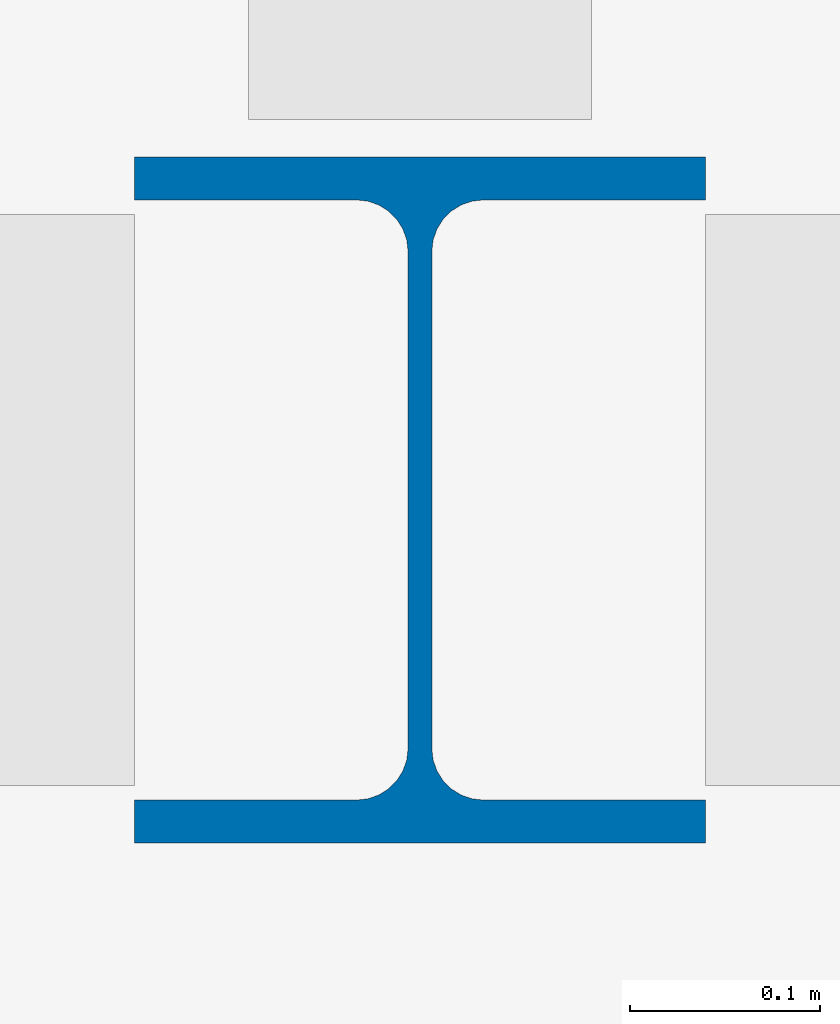
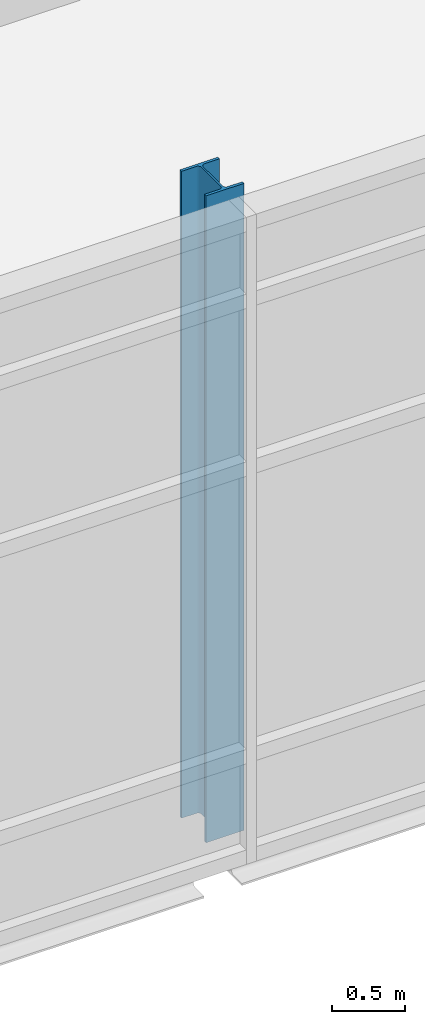
# One storey, part 5 of 53: 1 column.
"""IFC4 building model written with IfcOpenShell, lengths in metres."""

from ifc_helpers import new_model, si_unit, direction, frame, origin, origin_2d, place, context, subcontext, project, spatial, i_section, extrude, material, material_profile, profile_set, type_object, element, save


model = new_model("IFC4")

# Units and contexts
model_context = context("Model", 3, precision=1e-05, world=origin(), true_north=direction((0.0, 1.0)))
body_context = subcontext(model_context, "Body", "Model", "MODEL_VIEW")
ifc_project = project(units=[si_unit("LENGTHUNIT", "METRE"), si_unit("AREAUNIT", "SQUARE_METRE"), si_unit("VOLUMEUNIT", "CUBIC_METRE"), si_unit("PLANEANGLEUNIT", "RADIAN"), si_unit("MASSUNIT", "GRAM", prefix="KILO")], contexts=[model_context])

# Site, building, storey
site_placement = place(None, origin())
site = spatial("IfcSite", under=ifc_project, at=site_placement, CompositionType="ELEMENT")
building_placement = place(site_placement, origin())
building = spatial("IfcBuilding", under=site, at=building_placement, Name="Azimuth Sports and Learning Centre", CompositionType="ELEMENT")
storey_placement = place(building_placement, frame((0.0, 0.0, 10.800048828125)))
storey = spatial("IfcBuildingStorey", under=building, at=storey_placement, Name="L02", CompositionType="ELEMENT", Elevation=10.800048828125)

# Column
ifc_material = material(Name="Steel S355", Category="steel")
ifc_material_profile = material_profile(ifc_material, i_section(OverallWidth=0.300048828125, OverallDepth=0.360107421875, WebThickness=0.012451171875, FlangeThickness=0.0224609375, FilletRadius=0.027099609375, at=origin_2d()), Name="HEB 360")
ifc_profile_set = profile_set([ifc_material_profile], Name="Steel S355")
column_type = type_object("IfcColumnType", Name="Column HEB 360", PredefinedType="COLUMN", material=ifc_profile_set)
column_placement = place(storey_placement, frame((126.0, 90.0, 0.0), z_axis=(0.0, 0.0, 1.0), x_axis=(1.0, 0.0, 0.0)))
element("IfcColumn", 1, at=column_placement, inside=storey, type_object=column_type, Name="Column 15L L02", PredefinedType="COLUMN", context=body_context, shape_type="SweptSolid", body=[
    extrude(i_section(OverallWidth=0.300048828125, OverallDepth=0.360107421875, WebThickness=0.012451171875, FlangeThickness=0.0224609375, FilletRadius=0.027099609375, at=origin_2d()), origin(), (0.0, 0.0, 1.0), 5.39990234375),
])

save(model, "model.ifc")
